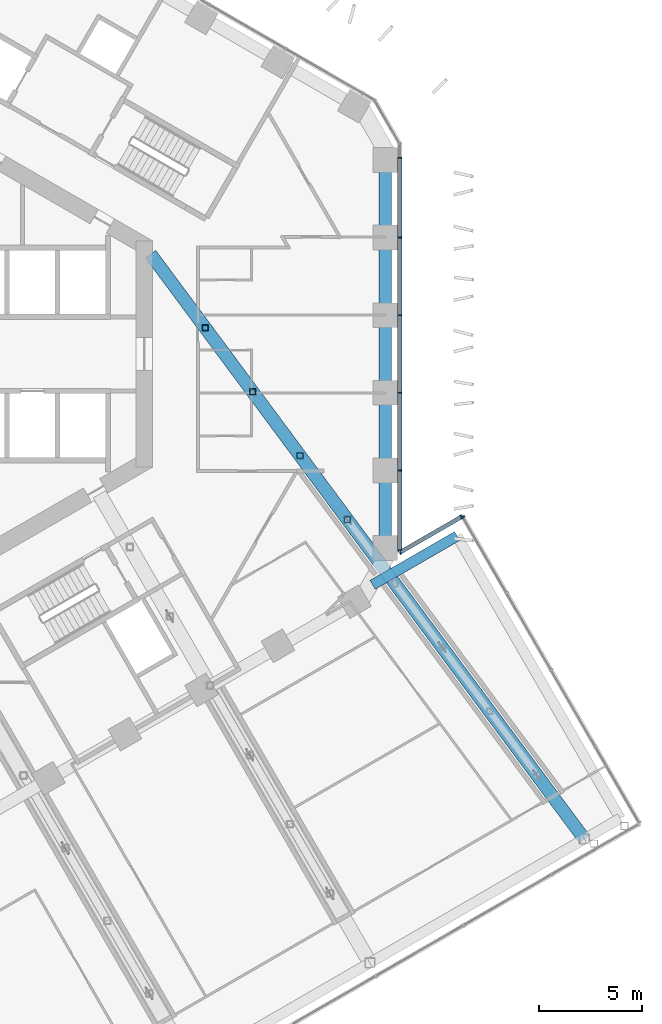
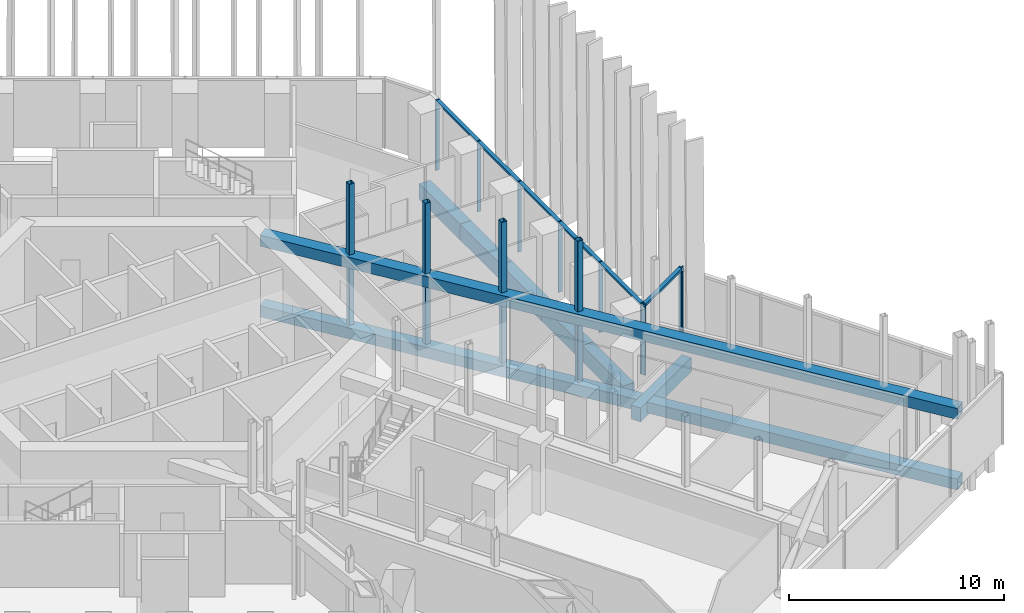
# One storey, part 9 of 29: 21 members, 6 beams, 3 elements without a shape of their own.
"""IFC4 building model written with IfcOpenShell, lengths in metres."""

from ifc_helpers import new_model, si_unit, direction, frame, origin, origin_2d, place, context, subcontext, project, spatial, rectangle, hollow_rectangle, extrude, material, layer, layer_set, material_profile, profile_set, type_object, element, aggregate, save


model = new_model("IFC4")

# Units and contexts
model_context = context("Model", 3, precision=1e-05, world=origin(), true_north=direction((0.0, 1.0)))
body_context = subcontext(model_context, "Body", "Model", "MODEL_VIEW")
ifc_project = project(units=[si_unit("LENGTHUNIT", "METRE"), si_unit("AREAUNIT", "SQUARE_METRE"), si_unit("VOLUMEUNIT", "CUBIC_METRE"), si_unit("PLANEANGLEUNIT", "RADIAN"), si_unit("MASSUNIT", "GRAM", prefix="KILO")], contexts=[model_context])

# Site, building, storey
site_placement = place(None, origin())
site = spatial("IfcSite", under=ifc_project, at=site_placement, CompositionType="ELEMENT")
building_placement = place(site_placement, origin())
building = spatial("IfcBuilding", under=site, at=building_placement, Name="Ayvan Gate Tower", CompositionType="ELEMENT")
storey_placement = place(building_placement, frame((0.0, 0.0, 66.300048828125)))
storey = spatial("IfcBuildingStorey", under=building, at=storey_placement, Name="L17", CompositionType="ELEMENT", Elevation=66.300048828125)

# Beam
ifc_material_1 = material(Name="Concrete C40/50", Category="concrete")
ifc_material_profile_1 = material_profile(ifc_material_1, rectangle(XDim=0.5, YDim=0.800048828125, at=origin_2d()), Name="RC 500x800")
ifc_profile_set_1 = profile_set([ifc_material_profile_1], Name="Concrete C40/50")
beam_type_1 = type_object("IfcBeamType", Name="Sky bar edge beam RC 500x800 C40/50", PredefinedType="BEAM", material=ifc_profile_set_1)
beam_1_placement = place(storey_placement, frame((20.171142578125, -11.185546875, -0.800048828125), z_axis=(0.866017760545, 0.500013238245, 0.0), x_axis=(-0.500013238245, 0.866017760545, 0.0)))
element("IfcBeam", 1, at=beam_1_placement, inside=storey, type_object=beam_type_1, Name="EB-B1-L17-1", PredefinedType="BEAM", context=body_context, shape_type="SweptSolid", body=[
    extrude(rectangle(XDim=0.5, YDim=0.800048828125, at=origin_2d()), origin(), (0.0, 0.0, 1.0), 4.723876953125),
])

# Members
ifc_material_2 = material(Name="Steel S460ML", Category="steel")
ifc_material_profile_2 = material_profile(ifc_material_2, hollow_rectangle(XDim=0.6201171875, YDim=0.6201171875, WallThickness=0.0400390625, at=origin_2d()), Name="BOX 620x620x40")
ifc_profile_set_2 = profile_set([ifc_material_profile_2], Name="Steel S460ML")
member_type_1 = type_object("IfcMemberType", Name="Sky bar end truss chord B1 BOX 620x620x40", PredefinedType="CHORD", material=ifc_profile_set_2)
for number, where, z_axis, x_axis, name in (
    (2, (9.41064453125, 4.83349609375, -0.75), (0.595719226407, -0.803192755999, 0.0), (0.803192755999, 0.595719226407, 0.0), "SBT1-4-BC-1"),
    (3, (9.41064453125, 4.83349609375, 3.25), (0.595719226407, -0.803192755999, 0.0), (0.803192755999, 0.595719226407, 0.0), "SBT1-4-TC-1"),
):
    element("IfcMember", number, at=place(storey_placement, frame(where, z_axis=z_axis, x_axis=x_axis)), inside=storey, type_object=member_type_1, Name=name, PredefinedType="CHORD", context=body_context, shape_type="SweptSolid", body=[
        extrude(hollow_rectangle(XDim=0.6201171875, YDim=0.6201171875, WallThickness=0.0400390625, at=origin_2d()), origin(), (0.0, 0.0, 1.0), 35.2841796875),
    ])
ifc_material_3 = material(Name="Steel S460NH", Category="steel")
ifc_material_profile_3 = material_profile(ifc_material_3, hollow_rectangle(XDim=0.280029296875, YDim=0.280029296875, WallThickness=0.01611328125, InnerFilletRadius=0.01611328125, OuterFilletRadius=0.02392578125, at=origin_2d()), Name="RHS 280x280x16")
ifc_profile_set_3 = profile_set([ifc_material_profile_3], Name="Steel S460NH")
member_type_2 = type_object("IfcMemberType", Name="Sky bar end truss post B1 RHS 280x280x16", PredefinedType="POST", material=ifc_profile_set_3)
for number, where, z_axis, x_axis, name in (
    (4, (12.057373046875, 1.264892578125, -0.400146484375), (0.0, 0.0, 1.0), (1.0, 0.0, 0.0), "SBT1-4-P-1"),
    (5, (14.35400390625, -1.83154296875, -0.400146484375), (0.0, 0.0, 1.0), (1.0, 0.0, 0.0), "SBT1-4-P-2"),
    (6, (16.650634765625, -4.927978515625, -0.400146484375), (0.0, 0.0, 1.0), (1.0, 0.0, 0.0), "SBT1-4-P-3"),
    (7, (18.947265625, -8.0244140625, -0.400146484375), (0.0, 0.0, 1.0), (1.0, 0.0, 0.0), "SBT1-4-P-4"),
):
    element("IfcMember", number, at=place(storey_placement, frame(where, z_axis=z_axis, x_axis=x_axis)), inside=storey, type_object=member_type_2, Name=name, PredefinedType="POST", context=body_context, shape_type="SweptSolid", body=[
        extrude(hollow_rectangle(XDim=0.280029296875, YDim=0.280029296875, WallThickness=0.01611328125, InnerFilletRadius=0.01611328125, OuterFilletRadius=0.02392578125, at=origin_2d()), origin(), (0.0, 0.0, 1.0), 3.300048828125),
    ])
ifc_material_profile_4 = material_profile(ifc_material_3, hollow_rectangle(XDim=0.300048828125, YDim=0.300048828125, WallThickness=0.01611328125, InnerFilletRadius=0.01611328125, OuterFilletRadius=0.02392578125, at=origin_2d()), Name="RHS 300x300x16")
ifc_profile_set_4 = profile_set([ifc_material_profile_4], Name="Steel S460NH")
member_type_3 = type_object("IfcMemberType", Name="Sky bar upper post B1 RHS 300x300x16", PredefinedType="POST", material=ifc_profile_set_4)
for number, where, z_axis, x_axis, name in (
    (8, (12.057373046875, 1.264892578125, 3.599853515625), (0.0, 0.0, 1.0), (1.0, 0.0, 0.0), "SBT1-4-U-1"),
    (9, (14.35400390625, -1.83154296875, 3.599853515625), (0.0, 0.0, 1.0), (1.0, 0.0, 0.0), "SBT1-4-U-2"),
    (10, (16.650634765625, -4.927978515625, 3.599853515625), (0.0, 0.0, 1.0), (1.0, 0.0, 0.0), "SBT1-4-U-3"),
    (11, (18.947265625, -8.0244140625, 3.599853515625), (0.0, 0.0, 1.0), (1.0, 0.0, 0.0), "SBT1-4-U-4"),
):
    element("IfcMember", number, at=place(storey_placement, frame(where, z_axis=z_axis, x_axis=x_axis)), inside=storey, type_object=member_type_3, Name=name, PredefinedType="POST", context=body_context, shape_type="SweptSolid", body=[
        extrude(hollow_rectangle(XDim=0.300048828125, YDim=0.300048828125, WallThickness=0.01611328125, InnerFilletRadius=0.01611328125, OuterFilletRadius=0.02392578125, at=origin_2d()), origin(), (0.0, 0.0, 1.0), 4.0),
    ])

# Beams
ifc_material_profile_5 = material_profile(ifc_material_1, rectangle(XDim=0.60009765625, YDim=0.89990234375, at=origin_2d()), Name="RC 600x900")
ifc_profile_set_5 = profile_set([ifc_material_profile_5], Name="Concrete C40/50")
beam_type_2 = type_object("IfcBeamType", Name="Spandrel beam RC 600x900 C40/50", PredefinedType="BEAM", material=ifc_profile_set_5)
beam_2_placement = place(storey_placement, frame((20.78466796875, -9.462646484375, -0.85009765625), z_axis=(0.0, 1.0, 0.0), x_axis=(-1.0, 0.0, 0.0)))
element("IfcBeam", 12, at=beam_2_placement, inside=storey, type_object=beam_type_2, Name="SB-L17-1", PredefinedType="BEAM", context=body_context, shape_type="SweptSolid", body=[
    extrude(rectangle(XDim=0.60009765625, YDim=0.89990234375, at=origin_2d()), origin(), (0.0, 0.0, 1.0), 3.784912109375),
])
for number, where, z_axis, x_axis, name in (
    (13, (20.78466796875, -5.677734375, -0.85009765625), (0.0, 1.0, 0.0), (-1.0, 0.0, 0.0), "SB-L17-2"),
    (14, (20.78466796875, -1.892578125, -0.85009765625), (0.0, 1.0, 0.0), (-1.0, 0.0, 0.0), "SB-L17-3"),
    (15, (20.78466796875, 1.892578125, -0.85009765625), (0.0, 1.0, 0.0), (-1.0, 0.0, 0.0), "SB-L17-4"),
):
    element("IfcBeam", number, at=place(storey_placement, frame(where, z_axis=z_axis, x_axis=x_axis)), inside=storey, type_object=beam_type_2, Name=name, PredefinedType="BEAM", context=body_context, shape_type="SweptSolid", body=[
        extrude(rectangle(XDim=0.60009765625, YDim=0.89990234375, at=origin_2d()), origin(), (0.0, 0.0, 1.0), 3.78515625),
    ])
beam_3_placement = place(storey_placement, frame((20.78466796875, 5.677734375, -0.85009765625), z_axis=(0.0, 1.0, 0.0), x_axis=(-1.0, 0.0, 0.0)))
element("IfcBeam", 16, at=beam_3_placement, inside=storey, type_object=beam_type_2, Name="SB-L17-5", PredefinedType="BEAM", context=body_context, shape_type="SweptSolid", body=[
    extrude(rectangle(XDim=0.60009765625, YDim=0.89990234375, at=origin_2d()), origin(), (0.0, 0.0, 1.0), 3.784912109375),
])

# Curtain wall, members
ifc_material_4 = material(Name="Bronze anodised aluminium", Category="aluminium")
ifc_layer_1 = layer(ifc_material_4, 0.199951171875)
ifc_layer_set_1 = layer_set([ifc_layer_1], Name="Bronze anodised aluminium")
curtain_wall_type_1 = type_object("IfcCurtainWallType", Name="Stick curtain wall CW-1", PredefinedType="NOTDEFINED", material=ifc_layer_set_1)
curtain_wall_1_placement = place(storey_placement, origin())
curtain_wall_1 = element("IfcCurtainWall", 17, at=curtain_wall_1_placement, inside=storey, type_object=curtain_wall_type_1, Name="Stick curtain wall CW-1 L17", PredefinedType="NOTDEFINED")
ifc_material_profile_6 = material_profile(ifc_material_4, rectangle(XDim=0.199951171875, YDim=0.06005859375, at=origin_2d()), Name="Stick curtain wall CW-1 mullion 200 x 60")
ifc_profile_set_6 = profile_set([ifc_material_profile_6], Name="Bronze anodised aluminium")
member_type_4 = type_object("IfcMemberType", Name="Stick curtain wall CW-1 mullion 200 x 60", PredefinedType="MULLION", material=ifc_profile_set_6)
member_1_placement = place(storey_placement, frame((21.484619140625, -9.5078125, 0.0), z_axis=(0.0, 0.0, 1.0), x_axis=(1.0, 0.0, 0.0)))
member_1 = element("IfcMember", 18, at=member_1_placement, type_object=member_type_4, Name="CW-1 mullion 1", PredefinedType="MULLION", context=body_context, shape_type="SweptSolid", body=[
    extrude(rectangle(XDim=0.199951171875, YDim=0.06005859375, at=origin_2d()), origin(), (0.0, 0.0, 1.0), 4.0),
])
member_2_placement = place(storey_placement, frame((21.484619140625, -5.642822265625, 0.0), z_axis=(0.0, 0.0, 1.0), x_axis=(1.0, 0.0, 0.0)))
member_2 = element("IfcMember", 19, at=member_2_placement, type_object=member_type_4, Name="CW-1 mullion 2", PredefinedType="MULLION", context=body_context, shape_type="SweptSolid", body=[
    extrude(rectangle(XDim=0.199951171875, YDim=0.06005859375, at=origin_2d()), origin(), (0.0, 0.0, 1.0), 4.0),
])
member_3_placement = place(storey_placement, frame((21.484619140625, -1.880859375, 0.0), z_axis=(0.0, 0.0, 1.0), x_axis=(1.0, 0.0, 0.0)))
member_3 = element("IfcMember", 20, at=member_3_placement, type_object=member_type_4, Name="CW-1 mullion 3", PredefinedType="MULLION", context=body_context, shape_type="SweptSolid", body=[
    extrude(rectangle(XDim=0.199951171875, YDim=0.06005859375, at=origin_2d()), origin(), (0.0, 0.0, 1.0), 4.0),
])
member_4_placement = place(storey_placement, frame((21.484619140625, 1.88134765625, 0.0), z_axis=(0.0, 0.0, 1.0), x_axis=(1.0, 0.0, 0.0)))
member_4 = element("IfcMember", 21, at=member_4_placement, type_object=member_type_4, Name="CW-1 mullion 4", PredefinedType="MULLION", context=body_context, shape_type="SweptSolid", body=[
    extrude(rectangle(XDim=0.199951171875, YDim=0.06005859375, at=origin_2d()), origin(), (0.0, 0.0, 1.0), 4.0),
])
member_5_placement = place(storey_placement, frame((21.484619140625, 5.643310546875, 0.0), z_axis=(0.0, 0.0, 1.0), x_axis=(1.0, 0.0, 0.0)))
member_5 = element("IfcMember", 22, at=member_5_placement, type_object=member_type_4, Name="CW-1 mullion 5", PredefinedType="MULLION", context=body_context, shape_type="SweptSolid", body=[
    extrude(rectangle(XDim=0.199951171875, YDim=0.06005859375, at=origin_2d()), origin(), (0.0, 0.0, 1.0), 4.0),
])
member_6_placement = place(storey_placement, frame((21.484619140625, 9.5078125, 0.0), z_axis=(0.0, 0.0, 1.0), x_axis=(1.0, 0.0, 0.0)))
member_6 = element("IfcMember", 23, at=member_6_placement, type_object=member_type_4, Name="CW-1 mullion 6", PredefinedType="MULLION", context=body_context, shape_type="SweptSolid", body=[
    extrude(rectangle(XDim=0.199951171875, YDim=0.06005859375, at=origin_2d()), origin(), (0.0, 0.0, 1.0), 4.0),
])
ifc_material_profile_7 = material_profile(ifc_material_4, rectangle(XDim=0.199951171875, YDim=0.1201171875, at=origin_2d()), Name="Stick curtain wall CW-1 transom 200 x 120")
ifc_profile_set_7 = profile_set([ifc_material_profile_7], Name="Bronze anodised aluminium")
member_type_5 = type_object("IfcMemberType", Name="Stick curtain wall CW-1 transom 200 x 120", PredefinedType="USERDEFINED", material=ifc_profile_set_7)
member_7_placement = place(storey_placement, frame((21.484619140625, -9.5078125, 3.93994140625), z_axis=(0.0, 1.0, 0.0), x_axis=(-1.0, 0.0, 0.0)))
member_7 = element("IfcMember", 24, at=member_7_placement, type_object=member_type_5, Name="CW-1 transom 1", ObjectType="TRANSOM", PredefinedType="USERDEFINED", context=body_context, shape_type="SweptSolid", body=[
    extrude(rectangle(XDim=0.199951171875, YDim=0.1201171875, at=origin_2d()), origin(), (0.0, 0.0, 1.0), 19.015625),
])
aggregate(curtain_wall_1, [member_1, member_2, member_3, member_4, member_5, member_6, member_7])

# Curtain wall, member
ifc_layer_2 = layer(ifc_material_4, 0.199951171875)
ifc_layer_set_2 = layer_set([ifc_layer_2], Name="Bronze anodised aluminium")
curtain_wall_type_2 = type_object("IfcCurtainWallType", Name="Stick curtain wall CW-4", PredefinedType="NOTDEFINED", material=ifc_layer_set_2)
curtain_wall_2_placement = place(storey_placement, origin())
curtain_wall_2 = element("IfcCurtainWall", 25, at=curtain_wall_2_placement, inside=storey, type_object=curtain_wall_type_2, Name="Stick curtain wall CW-4 L17", PredefinedType="NOTDEFINED")
ifc_material_profile_8 = material_profile(ifc_material_4, rectangle(XDim=0.199951171875, YDim=0.080078125, at=origin_2d()), Name="Stick curtain wall CW-4 mullion 200 x 80")
ifc_profile_set_8 = profile_set([ifc_material_profile_8], Name="Bronze anodised aluminium")
member_type_6 = type_object("IfcMemberType", Name="Stick curtain wall CW-4 mullion 200 x 80", PredefinedType="MULLION", material=ifc_profile_set_8)
member_8_placement = place(storey_placement, frame((24.53857421875, -7.90185546875, 0.0), z_axis=(0.0, 0.0, 1.0), x_axis=(0.866025403784, 0.5, 0.0)))
member_8 = element("IfcMember", 26, at=member_8_placement, type_object=member_type_6, Name="CW-4 mullion 5", PredefinedType="MULLION", context=body_context, shape_type="SweptSolid", body=[
    extrude(rectangle(XDim=0.199951171875, YDim=0.080078125, at=origin_2d()), origin(), (0.0, 0.0, 1.0), 4.0),
])
aggregate(curtain_wall_2, [member_8])

# Curtain wall, members
curtain_wall_3_placement = place(storey_placement, origin())
curtain_wall_3 = element("IfcCurtainWall", 27, at=curtain_wall_3_placement, inside=storey, type_object=curtain_wall_type_2, Name="Stick curtain wall CW-4 L17", PredefinedType="NOTDEFINED")
member_9_placement = place(storey_placement, frame((24.48388671875, -7.88720703125, 0.0), z_axis=(0.0, 0.0, 1.0), x_axis=(-0.5, 0.866025403784, 0.0)))
member_9 = element("IfcMember", 28, at=member_9_placement, type_object=member_type_6, Name="CW-4 mullion 1", PredefinedType="MULLION", context=body_context, shape_type="SweptSolid", body=[
    extrude(rectangle(XDim=0.199951171875, YDim=0.080078125, at=origin_2d()), origin(), (0.0, 0.0, 1.0), 4.0),
])
member_10_placement = place(storey_placement, frame((21.49365234375, -9.61376953125, 0.0), z_axis=(0.0, 0.0, 1.0), x_axis=(-0.5, 0.866025403784, 0.0)))
member_10 = element("IfcMember", 29, at=member_10_placement, type_object=member_type_6, Name="CW-4 mullion 2", PredefinedType="MULLION", context=body_context, shape_type="SweptSolid", body=[
    extrude(rectangle(XDim=0.199951171875, YDim=0.080078125, at=origin_2d()), origin(), (0.0, 0.0, 1.0), 4.0),
])
ifc_material_profile_9 = material_profile(ifc_material_4, rectangle(XDim=0.199951171875, YDim=0.139892578125, at=origin_2d()), Name="Stick curtain wall CW-4 transom 200 x 140")
ifc_profile_set_9 = profile_set([ifc_material_profile_9], Name="Bronze anodised aluminium")
member_type_7 = type_object("IfcMemberType", Name="Stick curtain wall CW-4 transom 200 x 140", PredefinedType="USERDEFINED", material=ifc_profile_set_9)
member_11_placement = place(storey_placement, frame((24.48388671875, -7.88720703125, 3.929931640625), z_axis=(-0.866006607564, -0.500032554596, 0.0), x_axis=(0.500032554596, -0.866006607564, 0.0)))
member_11 = element("IfcMember", 30, at=member_11_placement, type_object=member_type_7, Name="CW-4 transom 1", ObjectType="TRANSOM", PredefinedType="USERDEFINED", context=body_context, shape_type="SweptSolid", body=[
    extrude(rectangle(XDim=0.199951171875, YDim=0.139892578125, at=origin_2d()), origin(), (0.0, 0.0, 1.0), 3.452880859375),
])
aggregate(curtain_wall_3, [member_9, member_10, member_11])

save(model, "model.ifc")
